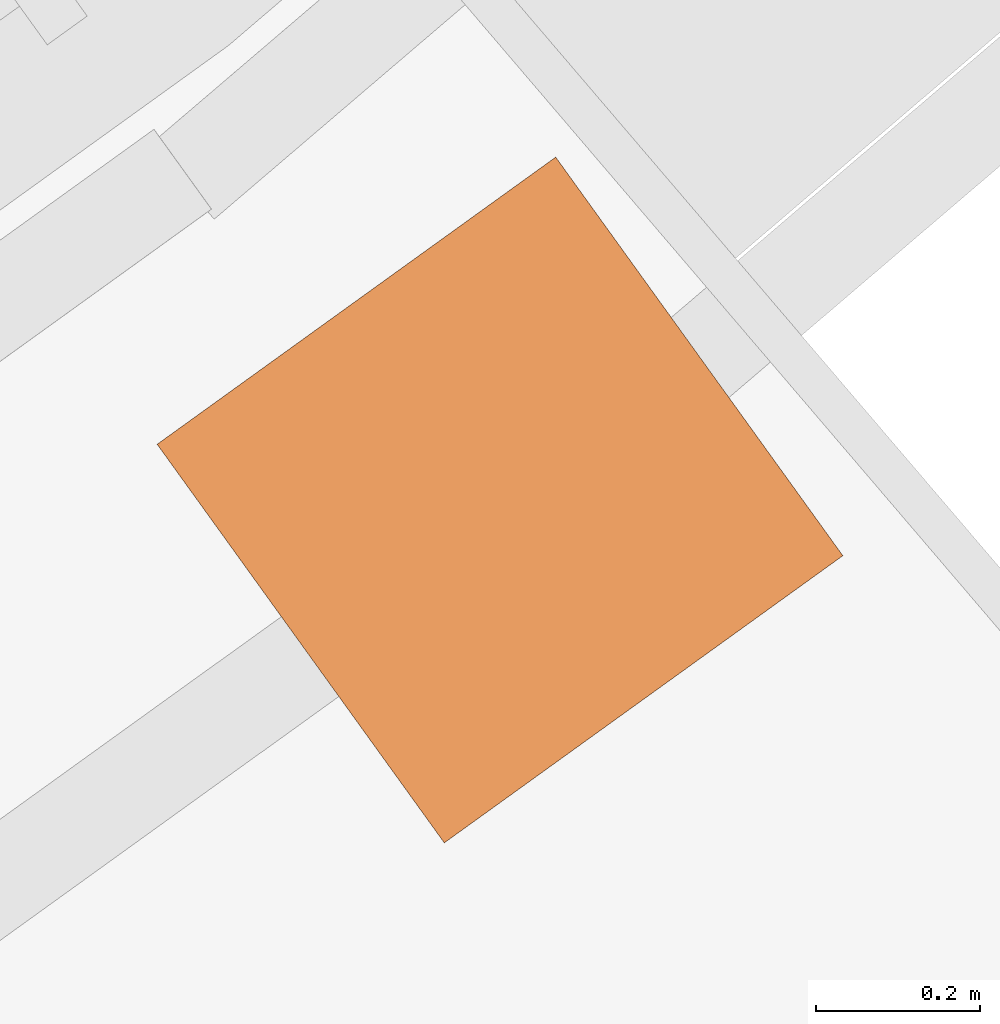
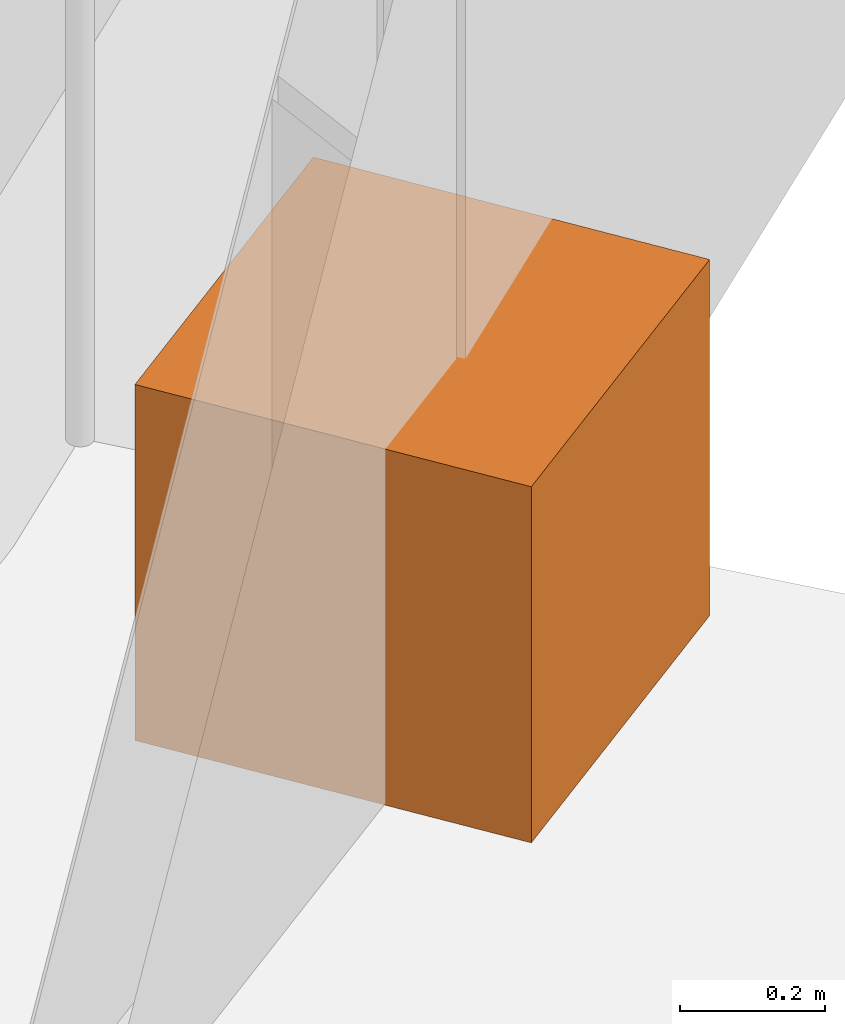
# One storey, part 21 of 21: 1 proxy.
"""IFC4 building model written with IfcOpenShell, lengths in metres."""

from ifc_helpers import new_model, si_unit, direction, frame, origin, origin_2d, place, context, subcontext, project, spatial, rectangle, extrude, material, type_object, element, save


model = new_model("IFC4")

# Units and contexts
model_context = context("Model", 3, precision=1e-05, world=origin(), true_north=direction((0.0, 1.0)))
body_context = subcontext(model_context, "Body", "Model", "MODEL_VIEW")
ifc_project = project(units=[si_unit("LENGTHUNIT", "METRE"), si_unit("AREAUNIT", "SQUARE_METRE"), si_unit("VOLUMEUNIT", "CUBIC_METRE"), si_unit("PLANEANGLEUNIT", "RADIAN"), si_unit("MASSUNIT", "GRAM", prefix="KILO")], contexts=[model_context])

# Site, building, storey
site_placement = place(None, origin())
site = spatial("IfcSite", under=ifc_project, at=site_placement, CompositionType="ELEMENT")
building_placement = place(site_placement, origin())
building = spatial("IfcBuilding", under=site, at=building_placement, Name="Tamarind Cross Interchange Tower", CompositionType="ELEMENT")
storey_placement = place(building_placement, frame((0.0, 0.0, 264.0)))
storey = spatial("IfcBuildingStorey", under=building, at=storey_placement, Name="L67", CompositionType="ELEMENT", Elevation=264.0)

# Proxy
ifc_material = material(Name="Concrete C30", Category="concrete")
building_element_proxy_type = type_object("IfcBuildingElementProxyType", Name="Planter", PredefinedType="USERDEFINED", material=ifc_material)
proxy_placement = place(storey_placement, origin())
element("IfcBuildingElementProxy", 1, at=proxy_placement, inside=storey, type_object=building_element_proxy_type, Name="PLT-L67-BAL01", ObjectType="Planter", PredefinedType="USERDEFINED", context=body_context, shape_type="SweptSolid", body=[
    extrude(rectangle(XDim=0.60009765625, YDim=0.60009765625, at=origin_2d()), frame((15.15185546875, -19.427734375, 0.0), z_axis=(0.0, 0.0, 1.0), x_axis=(0.811340475102, 0.584573890505, 0.0)), (0.0, 0.0, 1.0), 0.60009765625),
])

save(model, "model.ifc")
